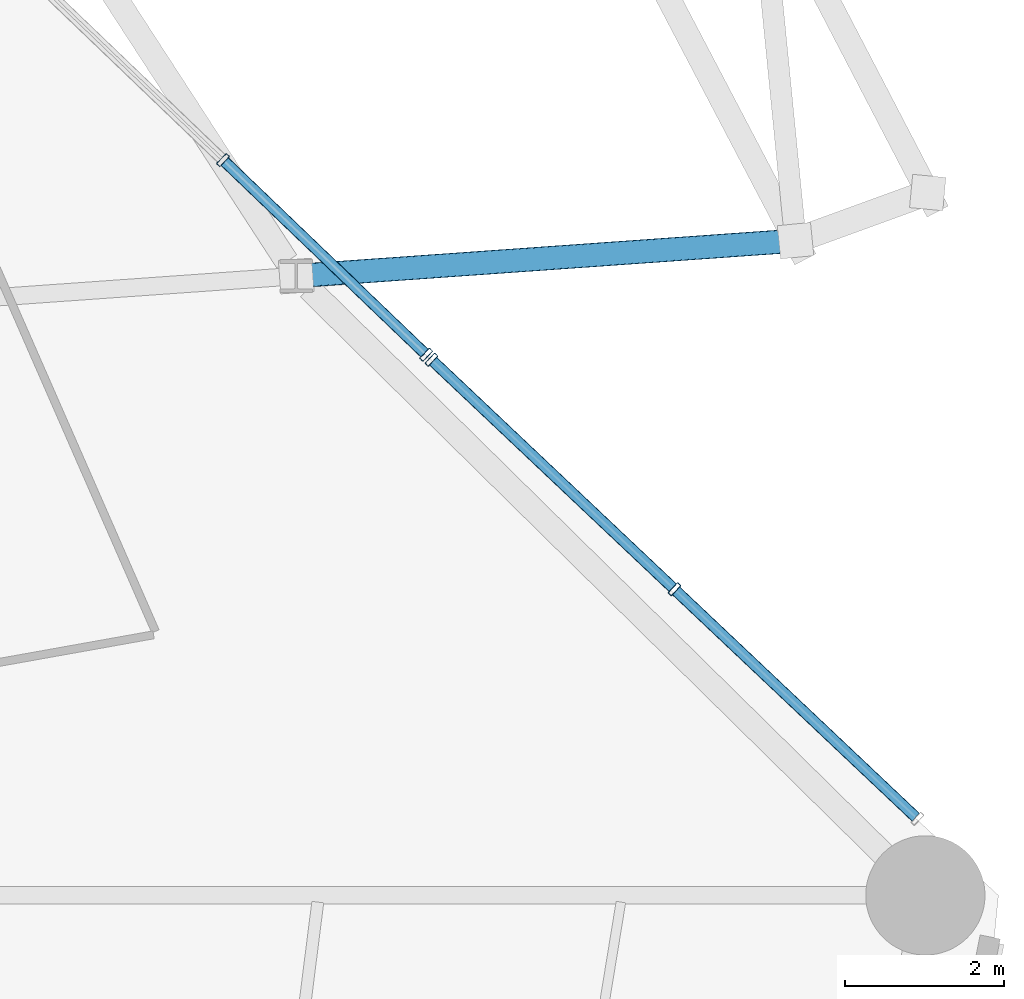
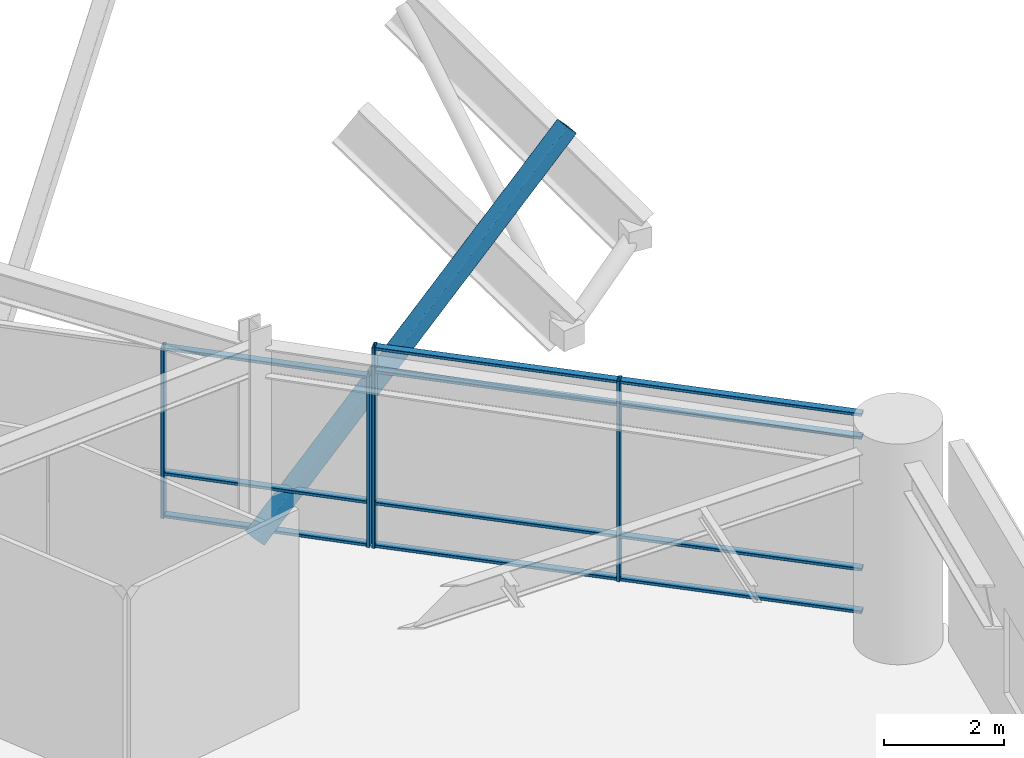
# One storey, part 26 of 53: 16 members, 2 elements without a shape of their own.
"""IFC4 building model written with IfcOpenShell, lengths in metres."""

from ifc_helpers import new_model, si_unit, direction, frame, origin, origin_2d, place, context, subcontext, project, spatial, hollow_rectangle, extrude, material, layer, layer_set, material_profile, profile_set, type_object, element, aggregate, save


model = new_model("IFC4")

# Units and contexts
model_context = context("Model", 3, precision=1e-05, world=origin(), true_north=direction((0.0, 1.0)))
body_context = subcontext(model_context, "Body", "Model", "MODEL_VIEW")
ifc_project = project(units=[si_unit("LENGTHUNIT", "METRE"), si_unit("AREAUNIT", "SQUARE_METRE"), si_unit("VOLUMEUNIT", "CUBIC_METRE"), si_unit("PLANEANGLEUNIT", "RADIAN"), si_unit("MASSUNIT", "GRAM", prefix="KILO")], contexts=[model_context])

# Site, building, storey
site_placement = place(None, origin())
site = spatial("IfcSite", under=ifc_project, at=site_placement, CompositionType="ELEMENT")
building_placement = place(site_placement, origin())
building = spatial("IfcBuilding", under=site, at=building_placement, Name="Kelanora Arch Commons", CompositionType="ELEMENT")
storey_placement = place(building_placement, frame((0.0, 0.0, 9.0)))
storey = spatial("IfcBuildingStorey", under=building, at=storey_placement, Name="L02", CompositionType="ELEMENT", Elevation=9.0)

# Curtain wall, members
ifc_material_1 = material(Name="Terracotta ceramic-fritted low-E glass and aluminium", Category="masonry")
ifc_layer = layer(ifc_material_1, 0.2099609375)
ifc_layer_set = layer_set([ifc_layer], Name="Terracotta ceramic-fritted low-E glass and aluminium")
curtain_wall_type = type_object("IfcCurtainWallType", Name="CW-SYS-04", PredefinedType="NOTDEFINED", material=ifc_layer_set)
curtain_wall_1_placement = place(storey_placement, origin())
curtain_wall_1 = element("IfcCurtainWall", 1, at=curtain_wall_1_placement, inside=storey, type_object=curtain_wall_type, Name="Unitised Curtain Wall L02-B00", PredefinedType="NOTDEFINED")
ifc_material_2 = material(Name="Powder-coated aluminium terracotta", Category="masonry")
ifc_material_profile_1 = material_profile(ifc_material_2, hollow_rectangle(XDim=0.179931640625, YDim=0.06005859375, WallThickness=0.0048828125, InnerFilletRadius=0.0048828125, OuterFilletRadius=0.010009765625, at=origin_2d()), Name="CWM180x60")
ifc_profile_set_1 = profile_set([ifc_material_profile_1], Name="Powder-coated aluminium terracotta")
member_type_1 = type_object("IfcMemberType", Name="CWM-HVY", PredefinedType="MULLION", material=ifc_profile_set_1)
member_1_placement = place(storey_placement, frame((97.923583984375, 61.850830078125, 0.0), z_axis=(0.0, 0.0, 1.0), x_axis=(-0.686720224308, -0.72692182078, 0.0)))
member_1 = element("IfcMember", 2, at=member_1_placement, type_object=member_type_1, Name="CW-04 mullion 2", PredefinedType="MULLION", context=body_context, shape_type="SweptSolid", body=[
    extrude(hollow_rectangle(XDim=0.179931640625, YDim=0.06005859375, WallThickness=0.0048828125, InnerFilletRadius=0.0048828125, OuterFilletRadius=0.010009765625, at=origin_2d()), origin(), (0.0, 0.0, 1.0), 4.0849609375),
])
member_2_placement = place(storey_placement, frame((94.8662109375, 64.739501953125, 0.0), z_axis=(0.0, 0.0, 1.0), x_axis=(-0.686720224308, -0.72692182078, 0.0)))
member_2 = element("IfcMember", 3, at=member_2_placement, type_object=member_type_1, Name="CW-04 mullion 3", PredefinedType="MULLION", context=body_context, shape_type="SweptSolid", body=[
    extrude(hollow_rectangle(XDim=0.179931640625, YDim=0.06005859375, WallThickness=0.0048828125, InnerFilletRadius=0.0048828125, OuterFilletRadius=0.010009765625, at=origin_2d()), origin(), (0.0, 0.0, 1.0), 4.0849609375),
])

curtain_wall_2_placement = place(storey_placement, origin())
curtain_wall_2 = element("IfcCurtainWall", 4, at=curtain_wall_2_placement, inside=storey, type_object=curtain_wall_type, Name="Unitised Curtain Wall L02-B01", PredefinedType="NOTDEFINED")
member_3_placement = place(storey_placement, frame((94.801025390625, 64.801513671875, 0.0), z_axis=(0.0, 0.0, 1.0), x_axis=(-0.691952518914, -0.721943011302, 0.0)))
member_3 = element("IfcMember", 5, at=member_3_placement, type_object=member_type_1, Name="CW-04 mullion 1", PredefinedType="MULLION", context=body_context, shape_type="SweptSolid", body=[
    extrude(hollow_rectangle(XDim=0.179931640625, YDim=0.06005859375, WallThickness=0.0048828125, InnerFilletRadius=0.0048828125, OuterFilletRadius=0.010009765625, at=origin_2d()), origin(), (0.0, 0.0, 1.0), 3.47998046875),
])
member_4_placement = place(storey_placement, frame((92.24560546875, 67.25048828125, 0.0), z_axis=(0.0, 0.0, 1.0), x_axis=(-0.691952518914, -0.721943011302, 0.0)))
member_4 = element("IfcMember", 6, at=member_4_placement, type_object=member_type_1, Name="CW-04 mullion 2", PredefinedType="MULLION", context=body_context, shape_type="SweptSolid", body=[
    extrude(hollow_rectangle(XDim=0.179931640625, YDim=0.06005859375, WallThickness=0.0048828125, InnerFilletRadius=0.0048828125, OuterFilletRadius=0.010009765625, at=origin_2d()), origin(), (0.0, 0.0, 1.0), 3.47998046875),
])

# Member
ifc_material_profile_2 = material_profile(ifc_material_2, hollow_rectangle(XDim=0.139892578125, YDim=0.06005859375, WallThickness=0.0048828125, InnerFilletRadius=0.0048828125, OuterFilletRadius=0.010009765625, at=origin_2d()), Name="CWT140x60")
ifc_profile_set_2 = profile_set([ifc_material_profile_2], Name="Powder-coated aluminium terracotta")
member_type_2 = type_object("IfcMemberType", Name="CWT-HVY", PredefinedType="USERDEFINED", material=ifc_profile_set_2)
member_5_placement = place(storey_placement, frame((100.95947265625, 58.983154296875, 0.030029296875), z_axis=(-0.726929863496, 0.68671171066, 0.0), x_axis=(-0.68671171066, -0.726929863496, 0.0)))
member_5 = element("IfcMember", 7, at=member_5_placement, type_object=member_type_2, Name="CW-04 transom 1.1", ObjectType="TRANSOM", PredefinedType="USERDEFINED", context=body_context, shape_type="SweptSolid", body=[
    extrude(hollow_rectangle(XDim=0.139892578125, YDim=0.06005859375, WallThickness=0.0048828125, InnerFilletRadius=0.0048828125, OuterFilletRadius=0.010009765625, at=origin_2d()), origin(), (0.0, 0.0, 1.0), 4.14599609375),
])

member_6_placement = place(storey_placement, frame((100.95947265625, 58.983154296875, 0.89990234375), z_axis=(-0.726929863496, 0.68671171066, 0.0), x_axis=(-0.68671171066, -0.726929863496, 0.0)))
member_6 = element("IfcMember", 8, at=member_6_placement, type_object=member_type_2, Name="CW-04 transom 1.2", ObjectType="TRANSOM", PredefinedType="USERDEFINED", context=body_context, shape_type="SweptSolid", body=[
    extrude(hollow_rectangle(XDim=0.139892578125, YDim=0.06005859375, WallThickness=0.0048828125, InnerFilletRadius=0.0048828125, OuterFilletRadius=0.010009765625, at=origin_2d()), origin(), (0.0, 0.0, 1.0), 4.14599609375),
])

member_7_placement = place(storey_placement, frame((100.95947265625, 58.983154296875, 3.5849609375), z_axis=(-0.726929863496, 0.68671171066, 0.0), x_axis=(-0.68671171066, -0.726929863496, 0.0)))
member_7 = element("IfcMember", 9, at=member_7_placement, type_object=member_type_2, Name="CW-04 transom 1.3", ObjectType="TRANSOM", PredefinedType="USERDEFINED", context=body_context, shape_type="SweptSolid", body=[
    extrude(hollow_rectangle(XDim=0.139892578125, YDim=0.06005859375, WallThickness=0.0048828125, InnerFilletRadius=0.0048828125, OuterFilletRadius=0.010009765625, at=origin_2d()), origin(), (0.0, 0.0, 1.0), 4.14599609375),
])

member_8_placement = place(storey_placement, frame((100.95947265625, 58.983154296875, 4.054931640625), z_axis=(-0.726929863496, 0.68671171066, 0.0), x_axis=(-0.68671171066, -0.726929863496, 0.0)))
member_8 = element("IfcMember", 10, at=member_8_placement, type_object=member_type_2, Name="CW-04 transom 1.4", ObjectType="TRANSOM", PredefinedType="USERDEFINED", context=body_context, shape_type="SweptSolid", body=[
    extrude(hollow_rectangle(XDim=0.139892578125, YDim=0.06005859375, WallThickness=0.0048828125, InnerFilletRadius=0.0048828125, OuterFilletRadius=0.010009765625, at=origin_2d()), origin(), (0.0, 0.0, 1.0), 4.14599609375),
])

member_9_placement = place(storey_placement, frame((97.90185546875, 61.87158203125, 0.030029296875), z_axis=(-0.726929863496, 0.68671171066, 0.0), x_axis=(-0.68671171066, -0.726929863496, 0.0)))
member_9 = element("IfcMember", 11, at=member_9_placement, type_object=member_type_2, Name="CW-04 transom 2.1", ObjectType="TRANSOM", PredefinedType="USERDEFINED", context=body_context, shape_type="SweptSolid", body=[
    extrude(hollow_rectangle(XDim=0.139892578125, YDim=0.06005859375, WallThickness=0.0048828125, InnerFilletRadius=0.0048828125, OuterFilletRadius=0.010009765625, at=origin_2d()), origin(), (0.0, 0.0, 1.0), 4.14599609375),
])

member_10_placement = place(storey_placement, frame((97.90185546875, 61.87158203125, 0.89990234375), z_axis=(-0.726929863496, 0.68671171066, 0.0), x_axis=(-0.68671171066, -0.726929863496, 0.0)))
member_10 = element("IfcMember", 12, at=member_10_placement, type_object=member_type_2, Name="CW-04 transom 2.2", ObjectType="TRANSOM", PredefinedType="USERDEFINED", context=body_context, shape_type="SweptSolid", body=[
    extrude(hollow_rectangle(XDim=0.139892578125, YDim=0.06005859375, WallThickness=0.0048828125, InnerFilletRadius=0.0048828125, OuterFilletRadius=0.010009765625, at=origin_2d()), origin(), (0.0, 0.0, 1.0), 4.14599609375),
])

member_11_placement = place(storey_placement, frame((97.90185546875, 61.87158203125, 3.5849609375), z_axis=(-0.726929863496, 0.68671171066, 0.0), x_axis=(-0.68671171066, -0.726929863496, 0.0)))
member_11 = element("IfcMember", 13, at=member_11_placement, type_object=member_type_2, Name="CW-04 transom 2.3", ObjectType="TRANSOM", PredefinedType="USERDEFINED", context=body_context, shape_type="SweptSolid", body=[
    extrude(hollow_rectangle(XDim=0.139892578125, YDim=0.06005859375, WallThickness=0.0048828125, InnerFilletRadius=0.0048828125, OuterFilletRadius=0.010009765625, at=origin_2d()), origin(), (0.0, 0.0, 1.0), 4.14599609375),
])

member_12_placement = place(storey_placement, frame((97.90185546875, 61.87158203125, 4.054931640625), z_axis=(-0.726929863496, 0.68671171066, 0.0), x_axis=(-0.68671171066, -0.726929863496, 0.0)))
member_12 = element("IfcMember", 14, at=member_12_placement, type_object=member_type_2, Name="CW-04 transom 2.4", ObjectType="TRANSOM", PredefinedType="USERDEFINED", context=body_context, shape_type="SweptSolid", body=[
    extrude(hollow_rectangle(XDim=0.139892578125, YDim=0.06005859375, WallThickness=0.0048828125, InnerFilletRadius=0.0048828125, OuterFilletRadius=0.010009765625, at=origin_2d()), origin(), (0.0, 0.0, 1.0), 4.14599609375),
])

aggregate(curtain_wall_1, [member_1, member_2, member_5, member_6, member_7, member_8, member_9, member_10, member_11, member_12])

member_13_placement = place(storey_placement, frame((94.779296875, 64.822265625, 0.030029296875), z_axis=(-0.721963375808, 0.691931271148, 0.0), x_axis=(-0.691931271148, -0.721963375808, 0.0)))
member_13 = element("IfcMember", 15, at=member_13_placement, type_object=member_type_2, Name="CW-04 transom 1.1", ObjectType="TRANSOM", PredefinedType="USERDEFINED", context=body_context, shape_type="SweptSolid", body=[
    extrude(hollow_rectangle(XDim=0.139892578125, YDim=0.06005859375, WallThickness=0.0048828125, InnerFilletRadius=0.0048828125, OuterFilletRadius=0.010009765625, at=origin_2d()), origin(), (0.0, 0.0, 1.0), 3.479248046875),
])

member_14_placement = place(storey_placement, frame((94.779296875, 64.822265625, 0.89990234375), z_axis=(-0.721963375808, 0.691931271148, 0.0), x_axis=(-0.691931271148, -0.721963375808, 0.0)))
member_14 = element("IfcMember", 16, at=member_14_placement, type_object=member_type_2, Name="CW-04 transom 1.2", ObjectType="TRANSOM", PredefinedType="USERDEFINED", context=body_context, shape_type="SweptSolid", body=[
    extrude(hollow_rectangle(XDim=0.139892578125, YDim=0.06005859375, WallThickness=0.0048828125, InnerFilletRadius=0.0048828125, OuterFilletRadius=0.010009765625, at=origin_2d()), origin(), (0.0, 0.0, 1.0), 3.479248046875),
])

member_15_placement = place(storey_placement, frame((94.779296875, 64.822265625, 3.449951171875), z_axis=(-0.721963375808, 0.691931271148, 0.0), x_axis=(-0.691931271148, -0.721963375808, 0.0)))
member_15 = element("IfcMember", 17, at=member_15_placement, type_object=member_type_2, Name="CW-04 transom 1.3", ObjectType="TRANSOM", PredefinedType="USERDEFINED", context=body_context, shape_type="SweptSolid", body=[
    extrude(hollow_rectangle(XDim=0.139892578125, YDim=0.06005859375, WallThickness=0.0048828125, InnerFilletRadius=0.0048828125, OuterFilletRadius=0.010009765625, at=origin_2d()), origin(), (0.0, 0.0, 1.0), 3.479248046875),
])

aggregate(curtain_wall_2, [member_3, member_4, member_13, member_14, member_15])

ifc_material_3 = material(Name="Steel S355", Category="steel")
ifc_material_profile_3 = material_profile(ifc_material_3, hollow_rectangle(XDim=0.300048828125, YDim=0.300048828125, WallThickness=0.01611328125, InnerFilletRadius=0.01611328125, OuterFilletRadius=0.031982421875, at=origin_2d()), Name="SHS300x300x16")
ifc_profile_set_3 = profile_set([ifc_material_profile_3], Name="Steel S355")
member_type_3 = type_object("IfcMemberType", Name="MEM-ARCH-SPND", PredefinedType="STRUT", material=ifc_profile_set_3)
member_16_placement = place(storey_placement, frame((93.166015625, 65.791015625, 0.10009765625), z_axis=(0.725598030645, 0.051387243434, 0.686197383511), x_axis=(-0.070643602101, 0.997501619789, 0.0)))
element("IfcMember", 18, at=member_16_placement, inside=storey, type_object=member_type_3, Name="Giant Arch Spandrel Strut 02", PredefinedType="STRUT", context=body_context, shape_type="SweptSolid", body=[
    extrude(hollow_rectangle(XDim=0.300048828125, YDim=0.300048828125, WallThickness=0.01611328125, InnerFilletRadius=0.01611328125, OuterFilletRadius=0.031982421875, at=origin_2d()), origin(), (0.0, 0.0, 1.0), 8.65625),
])

save(model, "model.ifc")
